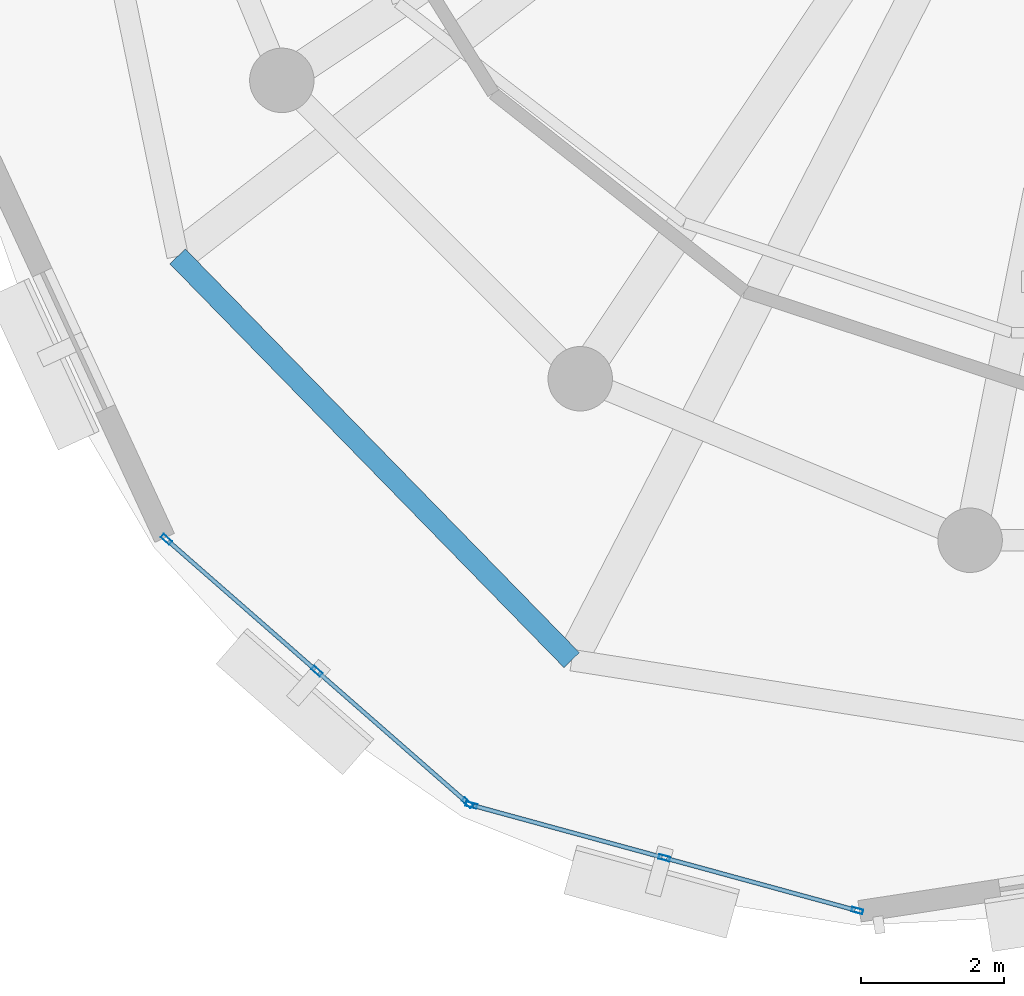
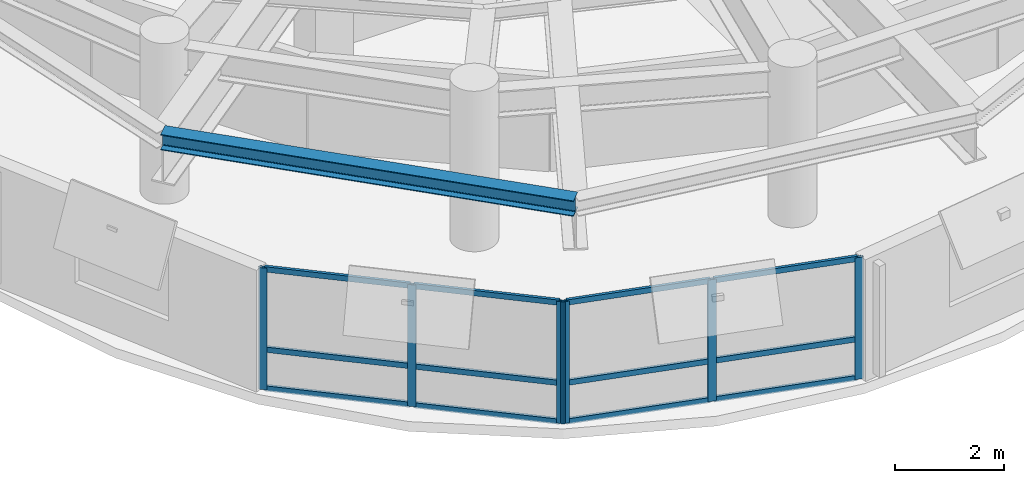
# One storey, part 2 of 11: 18 members, 1 beam, 2 elements without a shape of their own.
"""IFC4 building model written with IfcOpenShell, lengths in metres."""

from ifc_helpers import new_model, si_unit, direction, frame, origin, origin_2d, place, context, subcontext, project, spatial, hollow_rectangle, i_section, extrude, material, layer, layer_set, material_profile, profile_set, type_object, element, aggregate, save


model = new_model("IFC4")

# Units and contexts
model_context = context("Model", 3, precision=1e-05, world=origin(), true_north=direction((0.0, 1.0)))
body_context = subcontext(model_context, "Body", "Model", "MODEL_VIEW")
ifc_project = project(units=[si_unit("LENGTHUNIT", "METRE"), si_unit("AREAUNIT", "SQUARE_METRE"), si_unit("VOLUMEUNIT", "CUBIC_METRE"), si_unit("PLANEANGLEUNIT", "RADIAN"), si_unit("MASSUNIT", "GRAM", prefix="KILO"), si_unit("THERMODYNAMICTEMPERATUREUNIT", "KELVIN"), si_unit("POWERUNIT", "WATT")], contexts=[model_context])

# Site, building, storey
site_placement = place(None, origin())
site = spatial("IfcSite", under=ifc_project, at=site_placement, CompositionType="ELEMENT")
building_placement = place(site_placement, origin())
building = spatial("IfcBuilding", under=site, at=building_placement, Name="Ocrelia Relay Tower", CompositionType="ELEMENT")
storey_placement = place(building_placement, frame((0.0, 0.0, 284.39990234375)))
storey = spatial("IfcBuildingStorey", under=building, at=storey_placement, Name="L71", CompositionType="ELEMENT", Elevation=284.39990234375)

# Beam
ifc_material_1 = material(Name="Steel S355", Category="steel")
ifc_material_profile_1 = material_profile(ifc_material_1, i_section(OverallWidth=0.300048828125, OverallDepth=0.35009765625, WebThickness=0.010009765625, FlangeThickness=0.017578125, FilletRadius=0.027099609375, at=origin_2d()), Name="HEA 360")
ifc_profile_set_1 = profile_set([ifc_material_profile_1], Name="Steel S355")
beam_type = type_object("IfcBeamType", Name="BM-HEA360", PredefinedType="SPANDREL", material=ifc_profile_set_1)
beam_placement = place(storey_placement, frame((19.989501953125, 15.153076171875, 3.175048828125), z_axis=(0.698532568497, -0.715578263189, 0.0), x_axis=(0.715578263189, 0.698532568497, 0.0)))
element("IfcBeam", 1, at=beam_placement, inside=storey, type_object=beam_type, Name="Crown Base Perimeter Ring Beam CBR06", PredefinedType="SPANDREL", context=body_context, shape_type="SweptSolid", body=[
    extrude(i_section(OverallWidth=0.300048828125, OverallDepth=0.35009765625, WebThickness=0.010009765625, FlangeThickness=0.017578125, FilletRadius=0.027099609375, at=origin_2d()), origin(), (0.0, 0.0, 1.0), 7.87744140625),
])

# Curtain wall, members
ifc_material_2 = material(Name="Aluminium and solar-control low-E glass", Category="aluminium")
ifc_layer = layer(ifc_material_2, 0.179931640625, Name="Aluminium and solar-control low-E glass")
ifc_layer_set = layer_set([ifc_layer], Name="Aluminium and solar-control low-E glass")
curtain_wall_type = type_object("IfcCurtainWallType", Name="CW-SYS-Z4-EXEC", PredefinedType="NOTDEFINED", material=ifc_layer_set)
curtain_wall_1_placement = place(storey_placement, origin())
curtain_wall_1 = element("IfcCurtainWall", 2, at=curtain_wall_1_placement, inside=storey, type_object=curtain_wall_type, Name="L71 Elliptical Tower Curtain Wall Bay 09", PredefinedType="NOTDEFINED")
ifc_material_3 = material(Name="Anodised bronze aluminium", Category="aluminium")
ifc_material_profile_2 = material_profile(ifc_material_3, hollow_rectangle(XDim=0.06494140625, YDim=0.159912109375, WallThickness=0.0048828125, at=origin_2d()), Name="CW-MUL-160x65")
ifc_profile_set_2 = profile_set([ifc_material_profile_2], Name="Anodised bronze aluminium")
member_type_1 = type_object("IfcMemberType", Name="CW-SYS-Z4-EXEC-MUL", PredefinedType="MULLION", material=ifc_profile_set_2)
member_1_placement = place(storey_placement, frame((19.83349609375, 11.201904296875, 0.0), z_axis=(0.0, 0.0, 1.0), x_axis=(0.658715082901, 0.752392477075, 0.0)))
member_1 = element("IfcMember", 3, at=member_1_placement, type_object=member_type_1, Name="CW-Z4 mullion 1", PredefinedType="MULLION", context=body_context, shape_type="SweptSolid", body=[
    extrude(hollow_rectangle(XDim=0.06494140625, YDim=0.159912109375, WallThickness=0.0048828125, at=origin_2d()), origin(), (0.0, 0.0, 1.0), 2.72998046875),
])
member_2_placement = place(storey_placement, frame((21.934814453125, 9.3623046875, 0.0), z_axis=(0.0, 0.0, 1.0), x_axis=(0.658715082901, 0.752392477075, 0.0)))
member_2 = element("IfcMember", 4, at=member_2_placement, type_object=member_type_1, Name="CW-Z4 mullion 2", PredefinedType="MULLION", context=body_context, shape_type="SweptSolid", body=[
    extrude(hollow_rectangle(XDim=0.06494140625, YDim=0.159912109375, WallThickness=0.0048828125, at=origin_2d()), origin(), (0.0, 0.0, 1.0), 2.72998046875),
])
member_3_placement = place(storey_placement, frame((24.035888671875, 7.522705078125, 0.0), z_axis=(0.0, 0.0, 1.0), x_axis=(0.658715082901, 0.752392477075, 0.0)))
member_3 = element("IfcMember", 5, at=member_3_placement, type_object=member_type_1, Name="CW-Z4 mullion 3", PredefinedType="MULLION", context=body_context, shape_type="SweptSolid", body=[
    extrude(hollow_rectangle(XDim=0.06494140625, YDim=0.159912109375, WallThickness=0.0048828125, at=origin_2d()), origin(), (0.0, 0.0, 1.0), 2.72998046875),
])

curtain_wall_2_placement = place(storey_placement, origin())
curtain_wall_2 = element("IfcCurtainWall", 6, at=curtain_wall_2_placement, inside=storey, type_object=curtain_wall_type, Name="L71 Elliptical Tower Curtain Wall Bay 10", PredefinedType="NOTDEFINED")
member_4_placement = place(storey_placement, frame((24.091552734375, 7.49267578125, 0.0), z_axis=(0.0, 0.0, 1.0), x_axis=(0.263827168806, 0.96456996895, 0.0)))
member_4 = element("IfcMember", 7, at=member_4_placement, type_object=member_type_1, Name="CW-Z4 mullion 1", PredefinedType="MULLION", context=body_context, shape_type="SweptSolid", body=[
    extrude(hollow_rectangle(XDim=0.06494140625, YDim=0.159912109375, WallThickness=0.0048828125, at=origin_2d()), origin(), (0.0, 0.0, 1.0), 2.72998046875),
])
member_5_placement = place(storey_placement, frame((26.785400390625, 6.755859375, 0.0), z_axis=(0.0, 0.0, 1.0), x_axis=(0.263827168806, 0.96456996895, 0.0)))
member_5 = element("IfcMember", 8, at=member_5_placement, type_object=member_type_1, Name="CW-Z4 mullion 2", PredefinedType="MULLION", context=body_context, shape_type="SweptSolid", body=[
    extrude(hollow_rectangle(XDim=0.06494140625, YDim=0.159912109375, WallThickness=0.0048828125, at=origin_2d()), origin(), (0.0, 0.0, 1.0), 2.72998046875),
])
member_6_placement = place(storey_placement, frame((29.47900390625, 6.019287109375, 0.0), z_axis=(0.0, 0.0, 1.0), x_axis=(0.263827168806, 0.96456996895, 0.0)))
member_6 = element("IfcMember", 9, at=member_6_placement, type_object=member_type_1, Name="CW-Z4 mullion 3", PredefinedType="MULLION", context=body_context, shape_type="SweptSolid", body=[
    extrude(hollow_rectangle(XDim=0.06494140625, YDim=0.159912109375, WallThickness=0.0048828125, at=origin_2d()), origin(), (0.0, 0.0, 1.0), 2.72998046875),
])

# Member
ifc_material_profile_3 = material_profile(ifc_material_3, hollow_rectangle(XDim=0.06005859375, YDim=0.1201171875, WallThickness=0.0048828125, at=origin_2d()), Name="CW-TRN-120x60")
ifc_profile_set_3 = profile_set([ifc_material_profile_3], Name="Anodised bronze aluminium")
member_type_2 = type_object("IfcMemberType", Name="CW-SYS-Z4-EXEC-TRN", PredefinedType="USERDEFINED", material=ifc_profile_set_3)
member_7_placement = place(storey_placement, frame((19.85791015625, 11.180419921875, 0.030029296875), z_axis=(0.752365966659, -0.658745362195, 0.0), x_axis=(0.658745362195, 0.752365966659, 0.0)))
member_7 = element("IfcMember", 10, at=member_7_placement, type_object=member_type_2, Name="CW-Z4 transom 1.1", ObjectType="TRANSOM", PredefinedType="USERDEFINED", context=body_context, shape_type="SweptSolid", body=[
    extrude(hollow_rectangle(XDim=0.06005859375, YDim=0.1201171875, WallThickness=0.0048828125, at=origin_2d()), origin(), (0.0, 0.0, 1.0), 2.727783203125),
])

member_8_placement = place(storey_placement, frame((19.85791015625, 11.180419921875, 0.900146484375), z_axis=(0.752365966659, -0.658745362195, 0.0), x_axis=(0.658745362195, 0.752365966659, 0.0)))
member_8 = element("IfcMember", 11, at=member_8_placement, type_object=member_type_2, Name="CW-Z4 transom 1.2", ObjectType="TRANSOM", PredefinedType="USERDEFINED", context=body_context, shape_type="SweptSolid", body=[
    extrude(hollow_rectangle(XDim=0.06005859375, YDim=0.1201171875, WallThickness=0.0048828125, at=origin_2d()), origin(), (0.0, 0.0, 1.0), 2.727783203125),
])

member_9_placement = place(storey_placement, frame((19.85791015625, 11.180419921875, 2.7001953125), z_axis=(0.752365966659, -0.658745362195, 0.0), x_axis=(0.658745362195, 0.752365966659, 0.0)))
member_9 = element("IfcMember", 12, at=member_9_placement, type_object=member_type_2, Name="CW-Z4 transom 1.3", ObjectType="TRANSOM", PredefinedType="USERDEFINED", context=body_context, shape_type="SweptSolid", body=[
    extrude(hollow_rectangle(XDim=0.06005859375, YDim=0.1201171875, WallThickness=0.0048828125, at=origin_2d()), origin(), (0.0, 0.0, 1.0), 2.727783203125),
])

member_10_placement = place(storey_placement, frame((21.959228515625, 9.3408203125, 0.030029296875), z_axis=(0.752410327051, -0.658694693881, 0.0), x_axis=(0.658694693881, 0.752410327051, 0.0)))
member_10 = element("IfcMember", 13, at=member_10_placement, type_object=member_type_2, Name="CW-Z4 transom 2.1", ObjectType="TRANSOM", PredefinedType="USERDEFINED", context=body_context, shape_type="SweptSolid", body=[
    extrude(hollow_rectangle(XDim=0.06005859375, YDim=0.1201171875, WallThickness=0.0048828125, at=origin_2d()), origin(), (0.0, 0.0, 1.0), 2.7275390625),
])

member_11_placement = place(storey_placement, frame((21.959228515625, 9.3408203125, 0.900146484375), z_axis=(0.752410327051, -0.658694693881, 0.0), x_axis=(0.658694693881, 0.752410327051, 0.0)))
member_11 = element("IfcMember", 14, at=member_11_placement, type_object=member_type_2, Name="CW-Z4 transom 2.2", ObjectType="TRANSOM", PredefinedType="USERDEFINED", context=body_context, shape_type="SweptSolid", body=[
    extrude(hollow_rectangle(XDim=0.06005859375, YDim=0.1201171875, WallThickness=0.0048828125, at=origin_2d()), origin(), (0.0, 0.0, 1.0), 2.7275390625),
])

member_12_placement = place(storey_placement, frame((21.959228515625, 9.3408203125, 2.7001953125), z_axis=(0.752410327051, -0.658694693881, 0.0), x_axis=(0.658694693881, 0.752410327051, 0.0)))
member_12 = element("IfcMember", 15, at=member_12_placement, type_object=member_type_2, Name="CW-Z4 transom 2.3", ObjectType="TRANSOM", PredefinedType="USERDEFINED", context=body_context, shape_type="SweptSolid", body=[
    extrude(hollow_rectangle(XDim=0.06005859375, YDim=0.1201171875, WallThickness=0.0048828125, at=origin_2d()), origin(), (0.0, 0.0, 1.0), 2.7275390625),
])

aggregate(curtain_wall_1, [member_1, member_2, member_3, member_7, member_8, member_9, member_10, member_11, member_12])

member_13_placement = place(storey_placement, frame((24.123046875, 7.484130859375, 0.030029296875), z_axis=(0.964556963003, -0.263874714823, 0.0), x_axis=(0.263874714823, 0.964556963003, 0.0)))
member_13 = element("IfcMember", 16, at=member_13_placement, type_object=member_type_2, Name="CW-Z4 transom 1.1", ObjectType="TRANSOM", PredefinedType="USERDEFINED", context=body_context, shape_type="SweptSolid", body=[
    extrude(hollow_rectangle(XDim=0.06005859375, YDim=0.1201171875, WallThickness=0.0048828125, at=origin_2d()), origin(), (0.0, 0.0, 1.0), 2.7275390625),
])

member_14_placement = place(storey_placement, frame((24.123046875, 7.484130859375, 0.900146484375), z_axis=(0.964556963003, -0.263874714823, 0.0), x_axis=(0.263874714823, 0.964556963003, 0.0)))
member_14 = element("IfcMember", 17, at=member_14_placement, type_object=member_type_2, Name="CW-Z4 transom 1.2", ObjectType="TRANSOM", PredefinedType="USERDEFINED", context=body_context, shape_type="SweptSolid", body=[
    extrude(hollow_rectangle(XDim=0.06005859375, YDim=0.1201171875, WallThickness=0.0048828125, at=origin_2d()), origin(), (0.0, 0.0, 1.0), 2.7275390625),
])

member_15_placement = place(storey_placement, frame((24.123046875, 7.484130859375, 2.7001953125), z_axis=(0.964556963003, -0.263874714823, 0.0), x_axis=(0.263874714823, 0.964556963003, 0.0)))
member_15 = element("IfcMember", 18, at=member_15_placement, type_object=member_type_2, Name="CW-Z4 transom 1.3", ObjectType="TRANSOM", PredefinedType="USERDEFINED", context=body_context, shape_type="SweptSolid", body=[
    extrude(hollow_rectangle(XDim=0.06005859375, YDim=0.1201171875, WallThickness=0.0048828125, at=origin_2d()), origin(), (0.0, 0.0, 1.0), 2.7275390625),
])

member_16_placement = place(storey_placement, frame((26.816650390625, 6.747314453125, 0.030029296875), z_axis=(0.964585970119, -0.263768660475, 0.0), x_axis=(0.263768660475, 0.964585970119, 0.0)))
member_16 = element("IfcMember", 19, at=member_16_placement, type_object=member_type_2, Name="CW-Z4 transom 2.1", ObjectType="TRANSOM", PredefinedType="USERDEFINED", context=body_context, shape_type="SweptSolid", body=[
    extrude(hollow_rectangle(XDim=0.06005859375, YDim=0.1201171875, WallThickness=0.0048828125, at=origin_2d()), origin(), (0.0, 0.0, 1.0), 2.727783203125),
])

member_17_placement = place(storey_placement, frame((26.816650390625, 6.747314453125, 0.900146484375), z_axis=(0.964585970119, -0.263768660475, 0.0), x_axis=(0.263768660475, 0.964585970119, 0.0)))
member_17 = element("IfcMember", 20, at=member_17_placement, type_object=member_type_2, Name="CW-Z4 transom 2.2", ObjectType="TRANSOM", PredefinedType="USERDEFINED", context=body_context, shape_type="SweptSolid", body=[
    extrude(hollow_rectangle(XDim=0.06005859375, YDim=0.1201171875, WallThickness=0.0048828125, at=origin_2d()), origin(), (0.0, 0.0, 1.0), 2.727783203125),
])

member_18_placement = place(storey_placement, frame((26.816650390625, 6.747314453125, 2.7001953125), z_axis=(0.964585970119, -0.263768660475, 0.0), x_axis=(0.263768660475, 0.964585970119, 0.0)))
member_18 = element("IfcMember", 21, at=member_18_placement, type_object=member_type_2, Name="CW-Z4 transom 2.3", ObjectType="TRANSOM", PredefinedType="USERDEFINED", context=body_context, shape_type="SweptSolid", body=[
    extrude(hollow_rectangle(XDim=0.06005859375, YDim=0.1201171875, WallThickness=0.0048828125, at=origin_2d()), origin(), (0.0, 0.0, 1.0), 2.727783203125),
])

aggregate(curtain_wall_2, [member_4, member_5, member_6, member_13, member_14, member_15, member_16, member_17, member_18])

save(model, "model.ifc")
